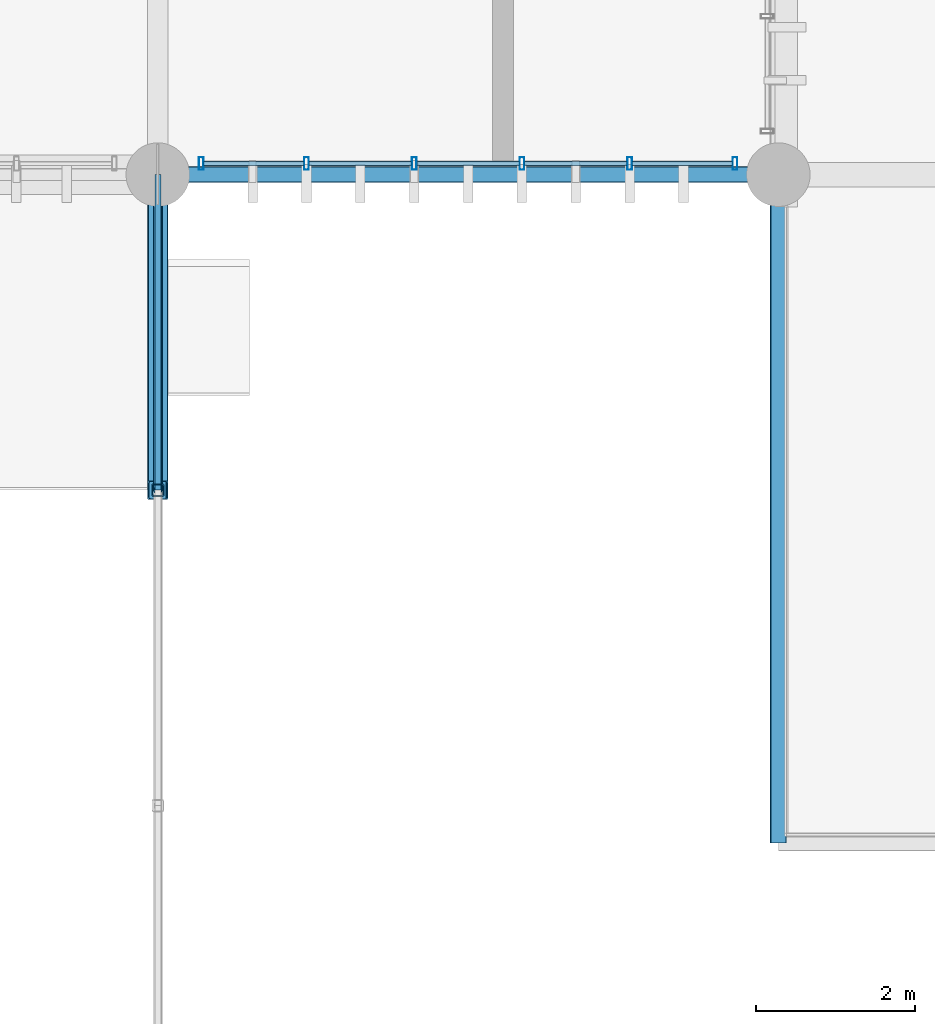
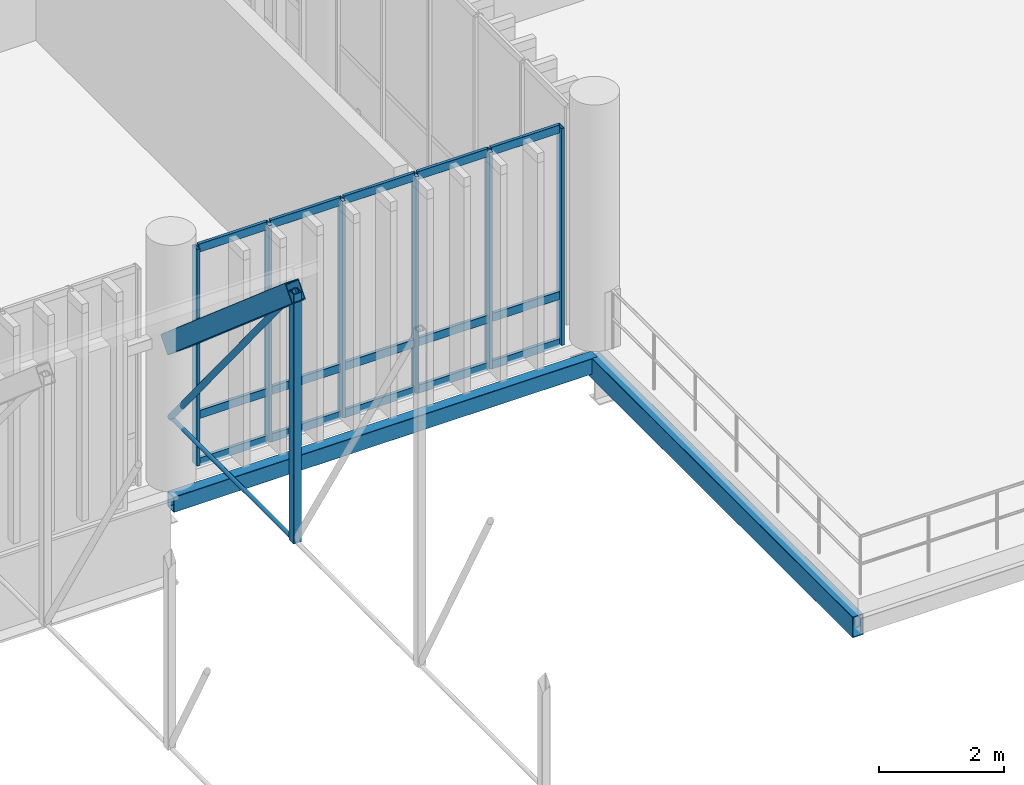
# One storey, part 22 of 109: 24 members, 3 beams, 1 element without a shape of its own.
"""IFC4 building model written with IfcOpenShell, lengths in metres."""

from ifc_helpers import new_model, si_unit, direction, frame, origin_with_axes, origin_2d_with_axis, place, context, subcontext, project, spatial, hollow_rectangle, circle, hollow_circle, extrude, material, material_profile, profile_set, type_object, element, aggregate, save


model = new_model("IFC4")

# Units and contexts
model_context = context("Model", 3, precision=1e-05, world=origin_with_axes(), true_north=direction((0.0, 1.0)))
body_context = subcontext(model_context, "Body", "Model", "MODEL_VIEW")
ifc_project = project(units=[si_unit("LENGTHUNIT", "METRE"), si_unit("AREAUNIT", "SQUARE_METRE"), si_unit("VOLUMEUNIT", "CUBIC_METRE"), si_unit("PLANEANGLEUNIT", "RADIAN"), si_unit("MASSUNIT", "GRAM", prefix="KILO"), si_unit("THERMODYNAMICTEMPERATUREUNIT", "KELVIN")], contexts=[model_context])

# Site, building, storey
site_placement = place(None, origin_with_axes())
site = spatial("IfcSite", under=ifc_project, at=site_placement, CompositionType="ELEMENT")
building_placement = place(site_placement, origin_with_axes())
building = spatial("IfcBuilding", under=site, at=building_placement, Name="Montbau Bow Law Courts", CompositionType="ELEMENT")
storey_placement = place(building_placement, frame((0.0, 0.0, 10.8), z_axis=(0.0, 0.0, 1.0), x_axis=(1.0, 0.0, 0.0)))
storey = spatial("IfcBuildingStorey", under=building, at=storey_placement, Name="L02", CompositionType="ELEMENT", Elevation=10.8)

# Beams
ifc_material_1 = material(Name="Steel CSA G40.21 Grade 350WT (350 MPa)", Category="steel")
ifc_material_profile_1 = material_profile(ifc_material_1, hollow_rectangle(XDim=0.254, YDim=0.356, WallThickness=0.0127, InnerFilletRadius=0.0254, OuterFilletRadius=0.0127, at=origin_2d_with_axis()), Name="HSS356X254X13", Category="Main", Priority=0)
ifc_profile_set_1 = profile_set([ifc_material_profile_1], Name="Steel CSA G40.21 Grade 350WT (350 MPa)")
beam_type_1 = type_object("IfcBeamType", Name="B-ARC-01", PredefinedType="USERDEFINED", material=ifc_profile_set_1)
beam_1_placement = place(None, frame((39.0, 26.633, 16.836), z_axis=(0.0, 0.758621798, -0.651531249), x_axis=(-1.0, 0.0, 0.0)))
element("IfcBeam", 1, at=beam_1_placement, inside=storey, type_object=beam_type_1, Name="Barrel vault roof truss arch rib V1-048", ObjectType="ARCH_RIB", PredefinedType="USERDEFINED", context=body_context, shape_type="SweptSolid", body=[
    extrude(hollow_rectangle(XDim=0.254, YDim=0.356, WallThickness=0.0127, InnerFilletRadius=0.0254, OuterFilletRadius=0.0127, at=origin_2d_with_axis()), origin_with_axes(), (0.0, 0.0, 1.0), 5.22922),
])
ifc_material_profile_2 = material_profile(ifc_material_1, hollow_rectangle(XDim=0.203, YDim=0.406, WallThickness=0.0127, InnerFilletRadius=0.0254, OuterFilletRadius=0.0127, at=origin_2d_with_axis()), Name="HSS406X203X13", Category="Main", Priority=0)
ifc_profile_set_2 = profile_set([ifc_material_profile_2], Name="Steel CSA G40.21 Grade 350WT (350 MPa)")
beam_type_2 = type_object("IfcBeamType", Name="B-SPN-01", PredefinedType="SPANDREL", material=ifc_profile_set_2)
beam_2_placement = place(None, frame((46.8, 22.2, 10.277), z_axis=(0.0, 1.0, 0.0), x_axis=(-1.0, 0.0, 0.0)))
element("IfcBeam", 2, at=beam_2_placement, inside=storey, type_object=beam_type_2, Name="SPN-L02-S0472:bm2_0475", PredefinedType="SPANDREL", context=body_context, shape_type="SweptSolid", body=[
    extrude(hollow_rectangle(XDim=0.203, YDim=0.406, WallThickness=0.0127, InnerFilletRadius=0.0254, OuterFilletRadius=0.0127, at=origin_2d_with_axis()), origin_with_axes(), (0.0, 0.0, 1.0), 8.4),
])
ifc_material_profile_3 = material_profile(ifc_material_1, hollow_rectangle(XDim=0.203, YDim=0.305, WallThickness=0.0127, InnerFilletRadius=0.0254, OuterFilletRadius=0.0127, at=origin_2d_with_axis()), Name="HSS305X203X13", Category="Main", Priority=0)
ifc_profile_set_3 = profile_set([ifc_material_profile_3], Name="Steel CSA G40.21 Grade 350WT (350 MPa)")
beam_type_3 = type_object("IfcBeamType", Name="B-SPN-02", PredefinedType="SPANDREL", material=ifc_profile_set_3)
beam_3_placement = place(None, frame((39.0, 30.6, 10.328), z_axis=(1.0, 0.0, 0.0), x_axis=(0.0, 1.0, 0.0)))
element("IfcBeam", 3, at=beam_3_placement, inside=storey, type_object=beam_type_3, Name="SPN-L02-S0550:bm2_0553", PredefinedType="SPANDREL", context=body_context, shape_type="SweptSolid", body=[
    extrude(hollow_rectangle(XDim=0.203, YDim=0.305, WallThickness=0.0127, InnerFilletRadius=0.0254, OuterFilletRadius=0.0127, at=origin_2d_with_axis()), origin_with_axes(), (0.0, 0.0, 1.0), 7.8),
])

# Curtain wall, members
ifc_material_2 = material(Name="Thermally Broken Extruded Aluminium AA 6063-T6", Category="aluminium")
curtain_wall_type = type_object("IfcCurtainWallType", Name="CW-TRC-01", PredefinedType="NOTDEFINED", material=ifc_material_2)
curtain_wall_placement = place(None, frame((39.515, 30.74, 10.8), z_axis=(0.0, 0.0, 1.0), x_axis=(1.0, 0.0, 0.0)))
curtain_wall = element("IfcCurtainWall", 4, at=curtain_wall_placement, inside=storey, type_object=curtain_wall_type, Name="CW-L02-038:cw_0038", PredefinedType="NOTDEFINED")
ifc_material_profile_4 = material_profile(ifc_material_2, hollow_rectangle(XDim=0.06, YDim=0.16, WallThickness=0.004, InnerFilletRadius=0.008, OuterFilletRadius=0.004, at=origin_2d_with_axis()), Name="CWM-160X60", Category="Main", Priority=0)
ifc_profile_set_4 = profile_set([ifc_material_profile_4], Name="Thermally Broken Extruded Aluminium AA 6063-T6")
member_type_1 = type_object("IfcMemberType", Name="M-MUL-03", PredefinedType="MULLION", material=ifc_profile_set_4)
member_1_placement = place(None, frame((39.545, 30.74, 10.8), z_axis=(0.0, 0.0, 1.0), x_axis=(1.0, 0.0, 0.0)))
member_1 = element("IfcMember", 5, at=member_1_placement, type_object=member_type_1, Name="CW-L02-038-M01:cw_0038_M01", PredefinedType="MULLION", context=body_context, shape_type="SweptSolid", body=[
    extrude(hollow_rectangle(XDim=0.06, YDim=0.16, WallThickness=0.004, InnerFilletRadius=0.008, OuterFilletRadius=0.004, at=origin_2d_with_axis()), origin_with_axes(), (0.0, 0.0, 1.0), 4.22),
])
member_2_placement = place(None, frame((40.869, 30.74, 10.8), z_axis=(0.0, 0.0, 1.0), x_axis=(1.0, 0.0, 0.0)))
member_2 = element("IfcMember", 6, at=member_2_placement, type_object=member_type_1, Name="CW-L02-038-M02:cw_0038_M02", PredefinedType="MULLION", context=body_context, shape_type="SweptSolid", body=[
    extrude(hollow_rectangle(XDim=0.06, YDim=0.16, WallThickness=0.004, InnerFilletRadius=0.008, OuterFilletRadius=0.004, at=origin_2d_with_axis()), origin_with_axes(), (0.0, 0.0, 1.0), 4.22),
])
member_3_placement = place(None, frame((42.223, 30.74, 10.8), z_axis=(0.0, 0.0, 1.0), x_axis=(1.0, 0.0, 0.0)))
member_3 = element("IfcMember", 7, at=member_3_placement, type_object=member_type_1, Name="CW-L02-038-M03:cw_0038_M03", PredefinedType="MULLION", context=body_context, shape_type="SweptSolid", body=[
    extrude(hollow_rectangle(XDim=0.06, YDim=0.16, WallThickness=0.004, InnerFilletRadius=0.008, OuterFilletRadius=0.004, at=origin_2d_with_axis()), origin_with_axes(), (0.0, 0.0, 1.0), 4.22),
])
member_4_placement = place(None, frame((43.577, 30.74, 10.8), z_axis=(0.0, 0.0, 1.0), x_axis=(1.0, 0.0, 0.0)))
member_4 = element("IfcMember", 8, at=member_4_placement, type_object=member_type_1, Name="CW-L02-038-M04:cw_0038_M04", PredefinedType="MULLION", context=body_context, shape_type="SweptSolid", body=[
    extrude(hollow_rectangle(XDim=0.06, YDim=0.16, WallThickness=0.004, InnerFilletRadius=0.008, OuterFilletRadius=0.004, at=origin_2d_with_axis()), origin_with_axes(), (0.0, 0.0, 1.0), 4.22),
])
member_5_placement = place(None, frame((44.931, 30.74, 10.8), z_axis=(0.0, 0.0, 1.0), x_axis=(1.0, 0.0, 0.0)))
member_5 = element("IfcMember", 9, at=member_5_placement, type_object=member_type_1, Name="CW-L02-038-M05:cw_0038_M05", PredefinedType="MULLION", context=body_context, shape_type="SweptSolid", body=[
    extrude(hollow_rectangle(XDim=0.06, YDim=0.16, WallThickness=0.004, InnerFilletRadius=0.008, OuterFilletRadius=0.004, at=origin_2d_with_axis()), origin_with_axes(), (0.0, 0.0, 1.0), 4.22),
])
member_6_placement = place(None, frame((46.255, 30.74, 10.8), z_axis=(0.0, 0.0, 1.0), x_axis=(1.0, 0.0, 0.0)))
member_6 = element("IfcMember", 10, at=member_6_placement, type_object=member_type_1, Name="CW-L02-038-M06:cw_0038_M06", PredefinedType="MULLION", context=body_context, shape_type="SweptSolid", body=[
    extrude(hollow_rectangle(XDim=0.06, YDim=0.16, WallThickness=0.004, InnerFilletRadius=0.008, OuterFilletRadius=0.004, at=origin_2d_with_axis()), origin_with_axes(), (0.0, 0.0, 1.0), 4.22),
])

# Members
ifc_material_profile_5 = material_profile(ifc_material_1, hollow_rectangle(XDim=0.152, YDim=0.152, WallThickness=0.0095, InnerFilletRadius=0.019, OuterFilletRadius=0.0095, at=origin_2d_with_axis()), Name="HSS152X152X9.5", Category="Main", Priority=0)
ifc_profile_set_5 = profile_set([ifc_material_profile_5], Name="Steel CSA G40.21 Grade 350WT (350 MPa)")
member_type_2 = type_object("IfcMemberType", Name="M-STR-02", PredefinedType="STRUT", material=ifc_profile_set_5)
member_7_placement = place(None, frame((39.0, 26.633, 11.979), z_axis=(0.0, 0.0, 1.0), x_axis=(1.0, 0.0, 0.0)))
element("IfcMember", 11, at=member_7_placement, inside=storey, type_object=member_type_2, Name="Barrel vault roof truss web post V1-08-5", PredefinedType="STRUT", context=body_context, shape_type="SweptSolid", body=[
    extrude(hollow_rectangle(XDim=0.152, YDim=0.152, WallThickness=0.0095, InnerFilletRadius=0.019, OuterFilletRadius=0.0095, at=origin_2d_with_axis()), origin_with_axes(), (0.0, 0.0, 1.0), 4.857),
])
ifc_material_profile_6 = material_profile(ifc_material_1, hollow_circle(Radius=0.057, WallThickness=0.008, at=origin_2d_with_axis()), Name="HSS114X8.0", Category="Main", Priority=0)
ifc_profile_set_6 = profile_set([ifc_material_profile_6], Name="Steel CSA G40.21 Grade 350WT (350 MPa)")
member_type_3 = type_object("IfcMemberType", Name="M-STR-03", PredefinedType="STRUT", material=ifc_profile_set_6)
member_8_placement = place(None, frame((39.0, 26.633, 16.836), z_axis=(0.0, 0.632577617, -0.774496971), x_axis=(-1.0, 0.0, 0.0)))
element("IfcMember", 12, at=member_8_placement, inside=storey, type_object=member_type_3, Name="Barrel vault roof truss web diagonal V1-08-6", PredefinedType="STRUT", context=body_context, shape_type="SweptSolid", body=[
    extrude(hollow_circle(Radius=0.057, WallThickness=0.008, at=origin_2d_with_axis()), origin_with_axes(), (0.0, 0.0, 1.0), 6.271167),
])
ifc_material_profile_7 = material_profile(ifc_material_1, circle(Radius=0.038, at=origin_2d_with_axis()), Name="ROD76", Category="Main", Priority=0)
ifc_profile_set_7 = profile_set([ifc_material_profile_7], Name="Steel CSA G40.21 Grade 350WT (350 MPa)")
member_type_4 = type_object("IfcMemberType", Name="M-TIE-01", PredefinedType="USERDEFINED", material=ifc_profile_set_7)
member_9_placement = place(None, frame((39.0, 26.633, 11.979), z_axis=(0.0, 1.0, 0.0), x_axis=(-1.0, 0.0, 0.0)))
element("IfcMember", 13, at=member_9_placement, inside=storey, type_object=member_type_4, Name="Barrel vault roof truss tie V1-048", ObjectType="TIEBAR", PredefinedType="USERDEFINED", context=body_context, shape_type="SweptSolid", body=[
    extrude(circle(Radius=0.038, at=origin_2d_with_axis()), origin_with_axes(), (0.0, 0.0, 1.0), 3.967),
])

# Member
ifc_material_profile_8 = material_profile(ifc_material_2, hollow_rectangle(XDim=0.06, YDim=0.16, WallThickness=0.004, InnerFilletRadius=0.008, OuterFilletRadius=0.004, at=origin_2d_with_axis()), Name="CWT-160X60", Category="Main", Priority=0)
ifc_profile_set_8 = profile_set([ifc_material_profile_8], Name="Thermally Broken Extruded Aluminium AA 6063-T6")
member_type_5 = type_object("IfcMemberType", Name="M-TRN-01", PredefinedType="USERDEFINED", material=ifc_profile_set_8)
member_10_placement = place(None, frame((39.577, 30.74, 10.83), z_axis=(1.0, 0.0, 0.0), x_axis=(0.0, 1.0, 0.0)))
member_10 = element("IfcMember", 14, at=member_10_placement, type_object=member_type_5, Name="CW-L02-038-T01-1:cw_0038_T01_1", ObjectType="TRANSOM", PredefinedType="USERDEFINED", context=body_context, shape_type="SweptSolid", body=[
    extrude(hollow_rectangle(XDim=0.06, YDim=0.16, WallThickness=0.004, InnerFilletRadius=0.008, OuterFilletRadius=0.004, at=origin_2d_with_axis()), origin_with_axes(), (0.0, 0.0, 1.0), 1.26),
])

member_11_placement = place(None, frame((39.577, 30.74, 11.75), z_axis=(1.0, 0.0, 0.0), x_axis=(0.0, 1.0, 0.0)))
member_11 = element("IfcMember", 15, at=member_11_placement, type_object=member_type_5, Name="CW-L02-038-T01-2:cw_0038_T01_2", ObjectType="TRANSOM", PredefinedType="USERDEFINED", context=body_context, shape_type="SweptSolid", body=[
    extrude(hollow_rectangle(XDim=0.06, YDim=0.16, WallThickness=0.004, InnerFilletRadius=0.008, OuterFilletRadius=0.004, at=origin_2d_with_axis()), origin_with_axes(), (0.0, 0.0, 1.0), 1.26),
])

member_12_placement = place(None, frame((39.577, 30.74, 14.99), z_axis=(1.0, 0.0, 0.0), x_axis=(0.0, 1.0, 0.0)))
member_12 = element("IfcMember", 16, at=member_12_placement, type_object=member_type_5, Name="CW-L02-038-T01-3:cw_0038_T01_3", ObjectType="TRANSOM", PredefinedType="USERDEFINED", context=body_context, shape_type="SweptSolid", body=[
    extrude(hollow_rectangle(XDim=0.06, YDim=0.16, WallThickness=0.004, InnerFilletRadius=0.008, OuterFilletRadius=0.004, at=origin_2d_with_axis()), origin_with_axes(), (0.0, 0.0, 1.0), 1.26),
])

member_13_placement = place(None, frame((40.901, 30.74, 10.83), z_axis=(1.0, 0.0, 0.0), x_axis=(0.0, 1.0, 0.0)))
member_13 = element("IfcMember", 17, at=member_13_placement, type_object=member_type_5, Name="CW-L02-038-T02-1:cw_0038_T02_1", ObjectType="TRANSOM", PredefinedType="USERDEFINED", context=body_context, shape_type="SweptSolid", body=[
    extrude(hollow_rectangle(XDim=0.06, YDim=0.16, WallThickness=0.004, InnerFilletRadius=0.008, OuterFilletRadius=0.004, at=origin_2d_with_axis()), origin_with_axes(), (0.0, 0.0, 1.0), 1.29),
])

member_14_placement = place(None, frame((40.901, 30.74, 11.75), z_axis=(1.0, 0.0, 0.0), x_axis=(0.0, 1.0, 0.0)))
member_14 = element("IfcMember", 18, at=member_14_placement, type_object=member_type_5, Name="CW-L02-038-T02-2:cw_0038_T02_2", ObjectType="TRANSOM", PredefinedType="USERDEFINED", context=body_context, shape_type="SweptSolid", body=[
    extrude(hollow_rectangle(XDim=0.06, YDim=0.16, WallThickness=0.004, InnerFilletRadius=0.008, OuterFilletRadius=0.004, at=origin_2d_with_axis()), origin_with_axes(), (0.0, 0.0, 1.0), 1.29),
])

member_15_placement = place(None, frame((40.901, 30.74, 14.99), z_axis=(1.0, 0.0, 0.0), x_axis=(0.0, 1.0, 0.0)))
member_15 = element("IfcMember", 19, at=member_15_placement, type_object=member_type_5, Name="CW-L02-038-T02-3:cw_0038_T02_3", ObjectType="TRANSOM", PredefinedType="USERDEFINED", context=body_context, shape_type="SweptSolid", body=[
    extrude(hollow_rectangle(XDim=0.06, YDim=0.16, WallThickness=0.004, InnerFilletRadius=0.008, OuterFilletRadius=0.004, at=origin_2d_with_axis()), origin_with_axes(), (0.0, 0.0, 1.0), 1.29),
])

member_16_placement = place(None, frame((42.255, 30.74, 10.83), z_axis=(1.0, 0.0, 0.0), x_axis=(0.0, 1.0, 0.0)))
member_16 = element("IfcMember", 20, at=member_16_placement, type_object=member_type_5, Name="CW-L02-038-T03-1:cw_0038_T03_1", ObjectType="TRANSOM", PredefinedType="USERDEFINED", context=body_context, shape_type="SweptSolid", body=[
    extrude(hollow_rectangle(XDim=0.06, YDim=0.16, WallThickness=0.004, InnerFilletRadius=0.008, OuterFilletRadius=0.004, at=origin_2d_with_axis()), origin_with_axes(), (0.0, 0.0, 1.0), 1.29),
])

member_17_placement = place(None, frame((42.255, 30.74, 11.75), z_axis=(1.0, 0.0, 0.0), x_axis=(0.0, 1.0, 0.0)))
member_17 = element("IfcMember", 21, at=member_17_placement, type_object=member_type_5, Name="CW-L02-038-T03-2:cw_0038_T03_2", ObjectType="TRANSOM", PredefinedType="USERDEFINED", context=body_context, shape_type="SweptSolid", body=[
    extrude(hollow_rectangle(XDim=0.06, YDim=0.16, WallThickness=0.004, InnerFilletRadius=0.008, OuterFilletRadius=0.004, at=origin_2d_with_axis()), origin_with_axes(), (0.0, 0.0, 1.0), 1.29),
])

member_18_placement = place(None, frame((42.255, 30.74, 14.99), z_axis=(1.0, 0.0, 0.0), x_axis=(0.0, 1.0, 0.0)))
member_18 = element("IfcMember", 22, at=member_18_placement, type_object=member_type_5, Name="CW-L02-038-T03-3:cw_0038_T03_3", ObjectType="TRANSOM", PredefinedType="USERDEFINED", context=body_context, shape_type="SweptSolid", body=[
    extrude(hollow_rectangle(XDim=0.06, YDim=0.16, WallThickness=0.004, InnerFilletRadius=0.008, OuterFilletRadius=0.004, at=origin_2d_with_axis()), origin_with_axes(), (0.0, 0.0, 1.0), 1.29),
])

member_19_placement = place(None, frame((43.609, 30.74, 10.83), z_axis=(1.0, 0.0, 0.0), x_axis=(0.0, 1.0, 0.0)))
member_19 = element("IfcMember", 23, at=member_19_placement, type_object=member_type_5, Name="CW-L02-038-T04-1:cw_0038_T04_1", ObjectType="TRANSOM", PredefinedType="USERDEFINED", context=body_context, shape_type="SweptSolid", body=[
    extrude(hollow_rectangle(XDim=0.06, YDim=0.16, WallThickness=0.004, InnerFilletRadius=0.008, OuterFilletRadius=0.004, at=origin_2d_with_axis()), origin_with_axes(), (0.0, 0.0, 1.0), 1.29),
])

member_20_placement = place(None, frame((43.609, 30.74, 11.75), z_axis=(1.0, 0.0, 0.0), x_axis=(0.0, 1.0, 0.0)))
member_20 = element("IfcMember", 24, at=member_20_placement, type_object=member_type_5, Name="CW-L02-038-T04-2:cw_0038_T04_2", ObjectType="TRANSOM", PredefinedType="USERDEFINED", context=body_context, shape_type="SweptSolid", body=[
    extrude(hollow_rectangle(XDim=0.06, YDim=0.16, WallThickness=0.004, InnerFilletRadius=0.008, OuterFilletRadius=0.004, at=origin_2d_with_axis()), origin_with_axes(), (0.0, 0.0, 1.0), 1.29),
])

member_21_placement = place(None, frame((43.609, 30.74, 14.99), z_axis=(1.0, 0.0, 0.0), x_axis=(0.0, 1.0, 0.0)))
member_21 = element("IfcMember", 25, at=member_21_placement, type_object=member_type_5, Name="CW-L02-038-T04-3:cw_0038_T04_3", ObjectType="TRANSOM", PredefinedType="USERDEFINED", context=body_context, shape_type="SweptSolid", body=[
    extrude(hollow_rectangle(XDim=0.06, YDim=0.16, WallThickness=0.004, InnerFilletRadius=0.008, OuterFilletRadius=0.004, at=origin_2d_with_axis()), origin_with_axes(), (0.0, 0.0, 1.0), 1.29),
])

member_22_placement = place(None, frame((44.963, 30.74, 10.83), z_axis=(1.0, 0.0, 0.0), x_axis=(0.0, 1.0, 0.0)))
member_22 = element("IfcMember", 26, at=member_22_placement, type_object=member_type_5, Name="CW-L02-038-T05-1:cw_0038_T05_1", ObjectType="TRANSOM", PredefinedType="USERDEFINED", context=body_context, shape_type="SweptSolid", body=[
    extrude(hollow_rectangle(XDim=0.06, YDim=0.16, WallThickness=0.004, InnerFilletRadius=0.008, OuterFilletRadius=0.004, at=origin_2d_with_axis()), origin_with_axes(), (0.0, 0.0, 1.0), 1.26),
])

member_23_placement = place(None, frame((44.963, 30.74, 11.75), z_axis=(1.0, 0.0, 0.0), x_axis=(0.0, 1.0, 0.0)))
member_23 = element("IfcMember", 27, at=member_23_placement, type_object=member_type_5, Name="CW-L02-038-T05-2:cw_0038_T05_2", ObjectType="TRANSOM", PredefinedType="USERDEFINED", context=body_context, shape_type="SweptSolid", body=[
    extrude(hollow_rectangle(XDim=0.06, YDim=0.16, WallThickness=0.004, InnerFilletRadius=0.008, OuterFilletRadius=0.004, at=origin_2d_with_axis()), origin_with_axes(), (0.0, 0.0, 1.0), 1.26),
])

member_24_placement = place(None, frame((44.963, 30.74, 14.99), z_axis=(1.0, 0.0, 0.0), x_axis=(0.0, 1.0, 0.0)))
member_24 = element("IfcMember", 28, at=member_24_placement, type_object=member_type_5, Name="CW-L02-038-T05-3:cw_0038_T05_3", ObjectType="TRANSOM", PredefinedType="USERDEFINED", context=body_context, shape_type="SweptSolid", body=[
    extrude(hollow_rectangle(XDim=0.06, YDim=0.16, WallThickness=0.004, InnerFilletRadius=0.008, OuterFilletRadius=0.004, at=origin_2d_with_axis()), origin_with_axes(), (0.0, 0.0, 1.0), 1.26),
])

aggregate(curtain_wall, [member_1, member_2, member_3, member_4, member_5, member_6, member_10, member_11, member_12, member_13, member_14, member_15, member_16, member_17, member_18, member_19, member_20, member_21, member_22, member_23, member_24])

save(model, "model.ifc")
